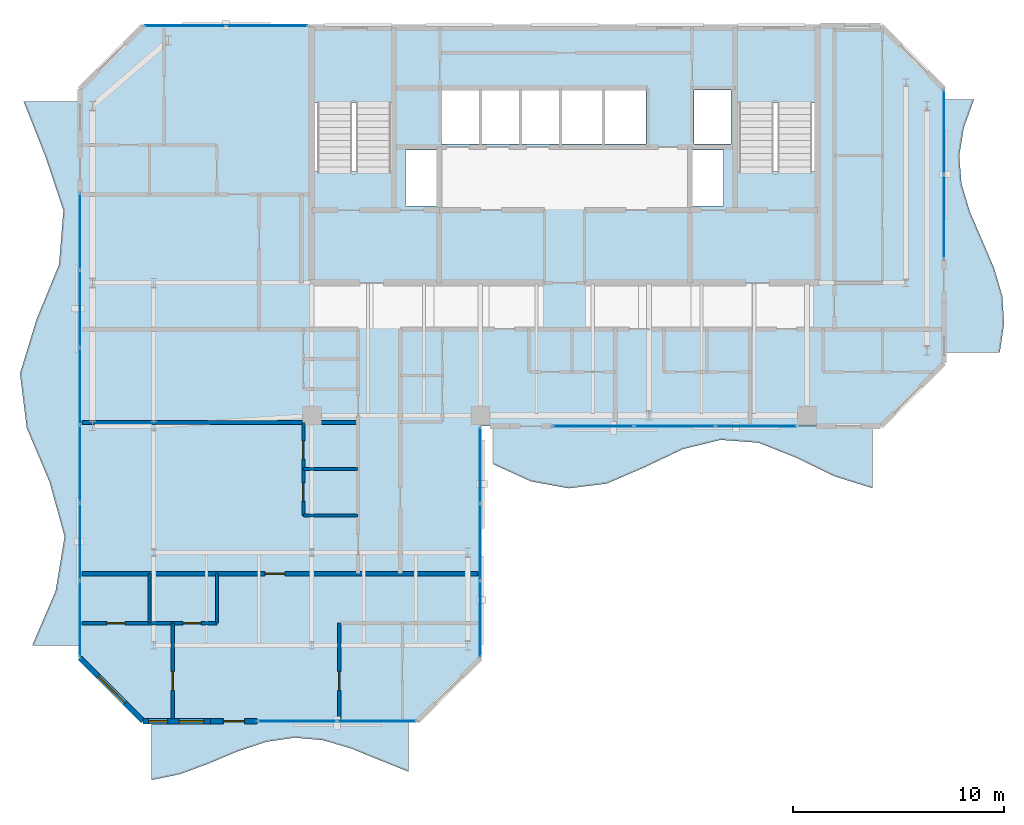
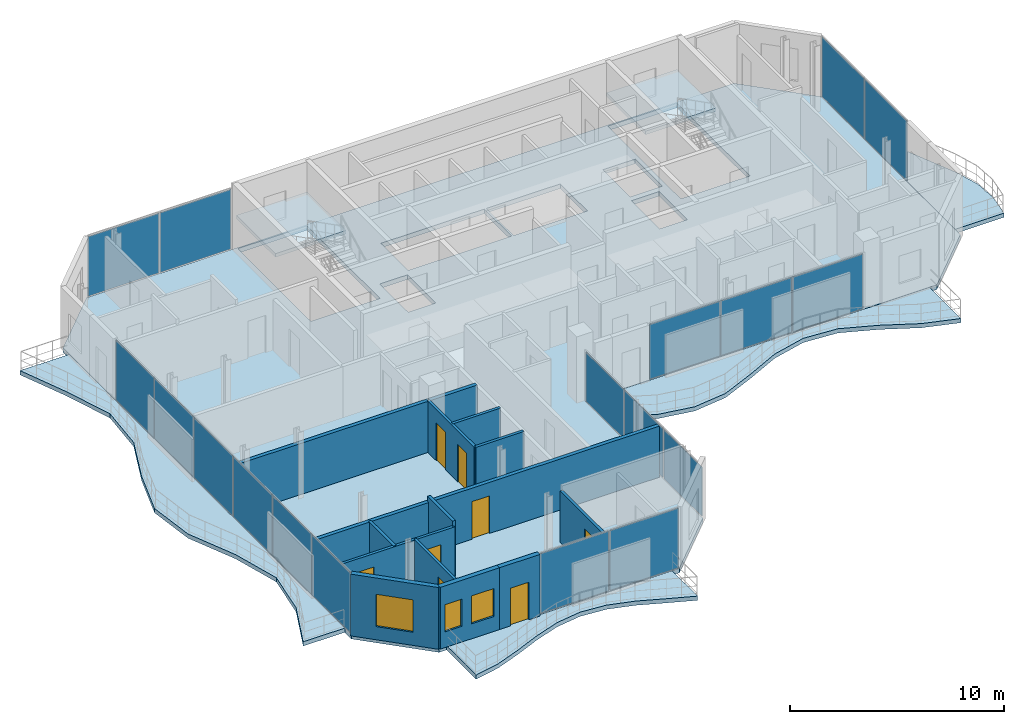
# One storey, part 17 of 24: 18 plates, 13 walls, 8 doors, 7 slabs, 3 windows, 11 openings, 8 elements without a shape of their own.
"""IFC4 building model written with IfcOpenShell, lengths in metres."""

import ifcopenshell
import ifcopenshell.guid

model = None  # the IFC model being written
_history = None  # IfcOwnerHistory: only IFC2X3 demands one
_inside = {}  # id of a spatial element -> (the spatial element, [elements in it])
_under = {}  # id of a project, library or spatial element -> (it, [spatial elements below it])
_declared = {}  # id of a project -> (the project, [libraries it declares])
_typed = {}  # id of a type object -> (the type object, [elements of that type])
_made_of = {}  # id of a material, layer set ... -> (it, [elements and type objects made of it])


def new_model(schema):
    """Start an empty IFC model of exactly this schema.

    Asked for "IFC4X3", IfcOpenShell would pick the latest addendum, in which some entities
    have other attributes; the version numbers below select the first issue.
    IFC2X3 requires an IfcOwnerHistory on every rooted entity: one is made here for all.
    """
    global model, _history
    if schema == "IFC4X3":
        model = ifcopenshell.file(schema_version=(4, 3, 0, 0))
    else:
        model = ifcopenshell.file(schema=schema)
    _inside.clear()
    _under.clear()
    _declared.clear()
    _typed.clear()
    _made_of.clear()
    _history = None
    if model.schema == "IFC2X3":
        org = make("IfcOrganization", Name="unknown")
        user = make(
            "IfcPersonAndOrganization",
            ThePerson=make("IfcPerson", FamilyName="unknown"),
            TheOrganization=org,
        )
        app = make(
            "IfcApplication",
            ApplicationDeveloper=org,
            Version="unknown",
            ApplicationFullName="unknown",
            ApplicationIdentifier="unknown",
        )
        _history = make(
            "IfcOwnerHistory",
            OwningUser=user,
            OwningApplication=app,
            ChangeAction="ADDED",
            CreationDate=0,
        )
    return model


def make(cls, **values):
    """One entity of the class cls with the attributes given. An attribute that is None is left unset."""
    return model.create_entity(
        cls, **{name: value for name, value in values.items() if value is not None}
    )


def rooted(cls, **values):
    """An entity with a GlobalId (a new one), such as an element, a storey or a relation."""
    return make(cls, GlobalId=ifcopenshell.guid.new(), OwnerHistory=_history, **values)


def si_unit(unit_type, name, prefix=None):
    """IfcSIUnit, for example si_unit("LENGTHUNIT", "METRE", prefix="MILLI")."""
    return make("IfcSIUnit", UnitType=unit_type, Prefix=prefix, Name=name)


def assignment(units):
    """IfcUnitAssignment: the units of a project."""
    return None if units is None else make("IfcUnitAssignment", Units=units)


def point(xyz):
    """IfcCartesianPoint."""
    return None if xyz is None else make("IfcCartesianPoint", Coordinates=xyz)


def direction(xyz):
    """IfcDirection."""
    return None if xyz is None else make("IfcDirection", DirectionRatios=xyz)


def frame(location, z_axis=None, x_axis=None):
    """IfcAxis2Placement3D, a coordinate frame: its origin and axes. An axis left out is left unset."""
    return make(
        "IfcAxis2Placement3D",
        Location=point(location),
        Axis=direction(z_axis),
        RefDirection=direction(x_axis),
    )


def frame_2d(location, x_axis=None):
    """IfcAxis2Placement2D, a coordinate frame in the plane: its origin and x axis."""
    return make(
        "IfcAxis2Placement2D", Location=point(location), RefDirection=direction(x_axis)
    )


def origin():
    """The frame at (0, 0, 0) with its axes left unset."""
    return frame((0.0, 0.0, 0.0))


def origin_2d():
    """The frame at (0, 0) in the plane with its x axis left unset."""
    return frame_2d((0.0, 0.0))


def place(relative_to, where):
    """IfcLocalPlacement: puts the frame where relative to a parent placement (None: the world)."""
    return make(
        "IfcLocalPlacement", PlacementRelTo=relative_to, RelativePlacement=where
    )


def context(
    kind, dimensions, precision=None, world=None, true_north=None, identifier=None
):
    """IfcGeometricRepresentationContext, for example the 3D "Model" context."""
    return make(
        "IfcGeometricRepresentationContext",
        ContextIdentifier=identifier,
        ContextType=kind,
        CoordinateSpaceDimension=dimensions,
        Precision=precision,
        WorldCoordinateSystem=world,
        TrueNorth=true_north,
    )


def subcontext(parent, identifier, kind, view, scale=None):
    """IfcGeometricRepresentationSubContext, for example "Body" below "Model"."""
    return make(
        "IfcGeometricRepresentationSubContext",
        ContextIdentifier=identifier,
        ContextType=kind,
        ParentContext=parent,
        TargetScale=scale,
        TargetView=view,
    )


def project(units=None, contexts=None):
    """IfcProject with its units and contexts."""
    return rooted(
        "IfcProject",
        Name="project",
        RepresentationContexts=contexts,
        UnitsInContext=assignment(units),
    )


def spatial(cls, under=None, at=None, **own):
    """A site, building, storey or space (cls), placed at a placement, below another one or the project."""
    s = rooted(cls, ObjectPlacement=at, **own)
    if under is not None:
        _under.setdefault(under.id(), (under, []))[1].append(s)
    return s


def polyline(points):
    """IfcPolyline through the points."""
    return make("IfcPolyline", Points=[point(p) for p in points])


def profile(cls, at=None, kind="AREA", **sizes):
    """A parametric profile (cls). Its sizes go by their IFC names, for example OverallWidth=200.0."""
    return make(cls, ProfileType=kind, Position=at, **sizes)


def rectangle(**sizes):
    """IfcRectangleProfileDef."""
    return profile("IfcRectangleProfileDef", **sizes)


def outline(outer, holes=None, kind="AREA"):
    """IfcArbitraryClosedProfileDef: a profile drawn as a closed curve; with holes, ...WithVoids."""
    if holes is None:
        return make("IfcArbitraryClosedProfileDef", ProfileType=kind, OuterCurve=outer)
    return make(
        "IfcArbitraryProfileDefWithVoids",
        ProfileType=kind,
        OuterCurve=outer,
        InnerCurves=holes,
    )


def extrude(swept, where, along, depth):
    """IfcExtrudedAreaSolid: the profile swept, set in the frame where, extruded along a direction by depth."""
    return make(
        "IfcExtrudedAreaSolid",
        SweptArea=swept,
        Position=where,
        ExtrudedDirection=direction(along),
        Depth=depth,
    )


def shape(context_of_items, identifier, shape_type, items):
    """IfcShapeRepresentation: the items that make up one representation, for example the "Body"."""
    return make(
        "IfcShapeRepresentation",
        ContextOfItems=context_of_items,
        RepresentationIdentifier=identifier,
        RepresentationType=shape_type,
        Items=items,
    )


def material(Name=None, Category=None):
    """IfcMaterial."""
    return make("IfcMaterial", Name=Name, Category=Category)


def layer(
    of_material, thickness, ventilated=None, Name=None, Category=None, Priority=None
):
    """IfcMaterialLayer: one layer of a wall or slab, of a material (None: an air gap)."""
    return make(
        "IfcMaterialLayer",
        Material=of_material,
        LayerThickness=thickness,
        IsVentilated=ventilated,
        Name=Name,
        Category=Category,
        Priority=Priority,
    )


def layer_set(layers, Name=None):
    """IfcMaterialLayerSet."""
    return make("IfcMaterialLayerSet", MaterialLayers=layers, LayerSetName=Name)


def made_of(thing, what):
    """Note that an element or type object is made of a material, layer set ...; save() writes the relation."""
    if what is not None:
        _made_of.setdefault(what.id(), (what, []))[1].append(thing)
    return thing


def type_object(cls, material=None, **own):
    """A type object (cls), such as IfcWallType, which elements share."""
    return made_of(rooted(cls, **own), material)


def element(
    cls,
    number,
    at=None,
    inside=None,
    cuts=None,
    type_object=None,
    material=None,
    context=None,
    identifier="Body",
    shape_type=None,
    held_by="IfcProductDefinitionShape",
    body=None,
    shapes=None,
    **own,
):
    """One element of the class cls, such as IfcWall. Its Tag is "e" and its number.

    at: its placement. inside: the storey or other place that contains it. cuts: it is an
    opening in that element (IfcRelVoidsElement). A single representation is given by context,
    identifier, shape_type and body (its items); several are given by shapes. held_by: the class
    of the entity that holds the representations. save() writes the other relations.
    """
    e = rooted(cls, Tag="e%d" % number, ObjectPlacement=at, **own)
    if body is not None:
        shapes = [shape(context, identifier, shape_type, body)]
    if shapes is not None:
        e.Representation = make(held_by, Representations=shapes)
    if inside is not None:
        _inside.setdefault(inside.id(), (inside, []))[1].append(e)
    if cuts is not None:
        rooted(
            "IfcRelVoidsElement", RelatingBuildingElement=cuts, RelatedOpeningElement=e
        )
    if type_object is not None:
        _typed.setdefault(type_object.id(), (type_object, []))[1].append(e)
    return made_of(e, material)


def fill(opening, filler):
    """IfcRelFillsElement: the door or window that sits in an opening."""
    return rooted(
        "IfcRelFillsElement",
        RelatingOpeningElement=opening,
        RelatedBuildingElement=filler,
    )


def aggregate(whole, parts):
    """IfcRelAggregates: a whole, such as a stair, and the parts it consists of."""
    return rooted("IfcRelAggregates", RelatingObject=whole, RelatedObjects=parts)


def save(model, path):
    """Write the relations noted so far, then the file.

    IfcRelAggregates (storeys below a building ...), IfcRelContainedInSpatialStructure (elements
    in a storey), IfcRelDefinesByType, IfcRelAssociatesMaterial and IfcRelDeclares: one each for
    every whole, place, type object, material and project.
    """
    for whole, parts in _under.values():
        aggregate(whole, parts)
    for where, things in _inside.values():
        rooted(
            "IfcRelContainedInSpatialStructure",
            RelatedElements=things,
            RelatingStructure=where,
        )
    for kind, things in _typed.values():
        rooted("IfcRelDefinesByType", RelatedObjects=things, RelatingType=kind)
    for what, things in _made_of.values():
        rooted("IfcRelAssociatesMaterial", RelatedObjects=things, RelatingMaterial=what)
    for by, libraries in _declared.values():
        rooted("IfcRelDeclares", RelatingContext=by, RelatedDefinitions=libraries)
    model.write(path)


model = new_model("IFC4")

# Units and contexts
model_context = context("Model", 3, precision=1e-05, world=origin(), true_north=direction((0.0, 1.0)))
body_context = subcontext(model_context, "Body", "Model", "MODEL_VIEW")
ifc_project = project(units=[si_unit("LENGTHUNIT", "METRE"), si_unit("AREAUNIT", "SQUARE_METRE"), si_unit("VOLUMEUNIT", "CUBIC_METRE"), si_unit("PLANEANGLEUNIT", "RADIAN"), si_unit("MASSUNIT", "GRAM", prefix="KILO")], contexts=[model_context])

# Site, building, storey
site_placement = place(None, origin())
site = spatial("IfcSite", under=ifc_project, at=site_placement, CompositionType="ELEMENT")
building_placement = place(site_placement, origin())
building = spatial("IfcBuilding", under=site, at=building_placement, Name="Catumbela Crestline Tower", CompositionType="ELEMENT")
storey_placement = place(building_placement, frame((0.0, 0.0, 237.4)))
storey = spatial("IfcBuildingStorey", under=building, at=storey_placement, Name="L61", CompositionType="ELEMENT", Elevation=237.4)

# Curtain wall, plates
ifc_material_1 = material(Name="Aluminium alloy AW-6060-T66", Category="aluminium")
ifc_layer_1 = layer(ifc_material_1, 0.18, Name="Aluminium alloy AW-6060-T66")
ifc_layer_set_1 = layer_set([ifc_layer_1], Name="Aluminium alloy AW-6060-T66")
curtain_wall_type = type_object("IfcCurtainWallType", Name="CWU-Z4", PredefinedType="USERDEFINED", material=ifc_layer_set_1)
curtain_wall_1_placement = place(storey_placement, origin())
curtain_wall_1 = element("IfcCurtainWall", 1, at=curtain_wall_1_placement, inside=storey, type_object=curtain_wall_type, Name="L61 Unitised Curtain Wall CW-L61-E0S2", ObjectType="UNITISED", PredefinedType="USERDEFINED")
ifc_material_2 = material(Name="Low-E laminated solar-control double glazing", Category="glass")
ifc_layer_2 = layer(ifc_material_2, 0.036, Name="Low-E laminated solar-control double glazing")
ifc_layer_set_2 = layer_set([ifc_layer_2], Name="Low-E laminated solar-control double glazing")
plate_type = type_object("IfcPlateType", Name="PNL-GLZ-Z4", PredefinedType="CURTAIN_PANEL", material=ifc_layer_set_2)
plate_1_placement = place(storey_placement, frame((15.3162, 10.0, 0.06), z_axis=(0.0, 0.0, 1.0), x_axis=(1.0, 0.0, 0.0)))
plate_1 = element("IfcPlate", 2, at=plate_1_placement, type_object=plate_type, Name="CWU-Z4 panel 1.1", PredefinedType="CURTAIN_PANEL", context=body_context, shape_type="SweptSolid", body=[
    extrude(rectangle(XDim=3.7025, YDim=0.034, at=origin_2d()), origin(), (0.0, 0.0, 1.0), 3.41),
])
plate_2_placement = place(storey_placement, frame((19.0837, 10.0, 0.06), z_axis=(0.0, 0.0, 1.0), x_axis=(1.0, 0.0, 0.0)))
plate_2 = element("IfcPlate", 3, at=plate_2_placement, type_object=plate_type, Name="CWU-Z4 panel 2.1", PredefinedType="CURTAIN_PANEL", context=body_context, shape_type="SweptSolid", body=[
    extrude(rectangle(XDim=3.7025, YDim=0.034, at=origin_2d()), origin(), (0.0, 0.0, 1.0), 3.41),
])
aggregate(curtain_wall_1, [plate_1, plate_2])

curtain_wall_2_placement = place(storey_placement, origin())
curtain_wall_2 = element("IfcCurtainWall", 4, at=curtain_wall_2_placement, inside=storey, type_object=curtain_wall_type, Name="L61 Unitised Curtain Wall CW-L61-E2S1", ObjectType="UNITISED", PredefinedType="USERDEFINED")
plate_3_placement = place(storey_placement, frame((24.0, 14.8496, 0.06), z_axis=(0.0, 0.0, 1.0), x_axis=(0.0, 1.0, 0.0)))
plate_3 = element("IfcPlate", 5, at=plate_3_placement, type_object=plate_type, Name="CWU-Z4 panel 1.1", PredefinedType="CURTAIN_PANEL", context=body_context, shape_type="SweptSolid", body=[
    extrude(rectangle(XDim=3.5692, YDim=0.034, at=origin_2d()), origin(), (0.0, 0.0, 1.0), 2.8),
])
plate_4_placement = place(storey_placement, frame((24.0, 18.5, 0.06), z_axis=(0.0, 0.0, 1.0), x_axis=(0.0, 1.0, 0.0)))
plate_4 = element("IfcPlate", 6, at=plate_4_placement, type_object=plate_type, Name="CWU-Z4 panel 2.1", PredefinedType="CURTAIN_PANEL", context=body_context, shape_type="SweptSolid", body=[
    extrude(rectangle(XDim=3.6017, YDim=0.034, at=origin_2d()), origin(), (0.0, 0.0, 1.0), 2.8),
])
plate_5_placement = place(storey_placement, frame((24.0, 22.1504, 0.06), z_axis=(0.0, 0.0, 1.0), x_axis=(0.0, 1.0, 0.0)))
plate_5 = element("IfcPlate", 7, at=plate_5_placement, type_object=plate_type, Name="CWU-Z4 panel 3.1", PredefinedType="CURTAIN_PANEL", context=body_context, shape_type="SweptSolid", body=[
    extrude(rectangle(XDim=3.5692, YDim=0.034, at=origin_2d()), origin(), (0.0, 0.0, 1.0), 2.8),
])
aggregate(curtain_wall_2, [plate_3, plate_4, plate_5])

curtain_wall_3_placement = place(storey_placement, origin())
curtain_wall_3 = element("IfcCurtainWall", 8, at=curtain_wall_3_placement, inside=storey, type_object=curtain_wall_type, Name="L61 Unitised Curtain Wall CW-L61-E3S2", ObjectType="UNITISED", PredefinedType="USERDEFINED")
plate_6_placement = place(storey_placement, frame((29.3579, 24.0, 0.06), z_axis=(0.0, 0.0, 1.0), x_axis=(1.0, 0.0, 0.0)))
plate_6 = element("IfcPlate", 9, at=plate_6_placement, type_object=plate_type, Name="CWU-Z4 panel 1.1", PredefinedType="CURTAIN_PANEL", context=body_context, shape_type="SweptSolid", body=[
    extrude(rectangle(XDim=3.7858, YDim=0.034, at=origin_2d()), origin(), (0.0, 0.0, 1.0), 3.12),
])
plate_7_placement = place(storey_placement, frame((33.225, 24.0, 0.06), z_axis=(0.0, 0.0, 1.0), x_axis=(1.0, 0.0, 0.0)))
plate_7 = element("IfcPlate", 10, at=plate_7_placement, type_object=plate_type, Name="CWU-Z4 panel 2.1", PredefinedType="CURTAIN_PANEL", context=body_context, shape_type="SweptSolid", body=[
    extrude(rectangle(XDim=3.8183, YDim=0.034, at=origin_2d()), origin(), (0.0, 0.0, 1.0), 3.12),
])
plate_8_placement = place(storey_placement, frame((37.0921, 24.0, 0.06), z_axis=(0.0, 0.0, 1.0), x_axis=(1.0, 0.0, 0.0)))
plate_8 = element("IfcPlate", 11, at=plate_8_placement, type_object=plate_type, Name="CWU-Z4 panel 3.1", PredefinedType="CURTAIN_PANEL", context=body_context, shape_type="SweptSolid", body=[
    extrude(rectangle(XDim=3.7858, YDim=0.034, at=origin_2d()), origin(), (0.0, 0.0, 1.0), 3.12),
])
aggregate(curtain_wall_3, [plate_6, plate_7, plate_8])

curtain_wall_4_placement = place(storey_placement, origin())
curtain_wall_4 = element("IfcCurtainWall", 12, at=curtain_wall_4_placement, inside=storey, type_object=curtain_wall_type, Name="L61 Unitised Curtain Wall CW-L61-E5S2", ObjectType="UNITISED", PredefinedType="USERDEFINED")
plate_9_placement = place(storey_placement, frame((46.0, 33.9412, 0.06), z_axis=(0.0, 0.0, 1.0), x_axis=(0.0, 1.0, 0.0)))
plate_9 = element("IfcPlate", 13, at=plate_9_placement, type_object=plate_type, Name="CWU-Z4 panel 1.1", PredefinedType="CURTAIN_PANEL", context=body_context, shape_type="SweptSolid", body=[
    extrude(rectangle(XDim=3.9525, YDim=0.034, at=origin_2d()), origin(), (0.0, 0.0, 1.0), 3.41),
])
plate_10_placement = place(storey_placement, frame((46.0, 37.9588, 0.06), z_axis=(0.0, 0.0, 1.0), x_axis=(0.0, 1.0, 0.0)))
plate_10 = element("IfcPlate", 14, at=plate_10_placement, type_object=plate_type, Name="CWU-Z4 panel 2.1", PredefinedType="CURTAIN_PANEL", context=body_context, shape_type="SweptSolid", body=[
    extrude(rectangle(XDim=3.9525, YDim=0.034, at=origin_2d()), origin(), (0.0, 0.0, 1.0), 3.41),
])
aggregate(curtain_wall_4, [plate_9, plate_10])

curtain_wall_5_placement = place(storey_placement, origin())
curtain_wall_5 = element("IfcCurtainWall", 15, at=curtain_wall_5_placement, inside=storey, type_object=curtain_wall_type, Name="L61 Unitised Curtain Wall CW-L61-E7S2", ObjectType="UNITISED", PredefinedType="USERDEFINED")
plate_11_placement = place(storey_placement, frame((13.8788, 43.0, 0.06), z_axis=(0.0, 0.0, 1.0), x_axis=(-1.0, 0.0, 0.0)))
plate_11 = element("IfcPlate", 16, at=plate_11_placement, type_object=plate_type, Name="CWU-Z4 panel 1.1", PredefinedType="CURTAIN_PANEL", context=body_context, shape_type="SweptSolid", body=[
    extrude(rectangle(XDim=3.8325, YDim=0.034, at=origin_2d()), origin(), (0.0, 0.0, 1.0), 3.41),
])
plate_12_placement = place(storey_placement, frame((9.9812, 43.0, 0.06), z_axis=(0.0, 0.0, 1.0), x_axis=(-1.0, 0.0, 0.0)))
plate_12 = element("IfcPlate", 17, at=plate_12_placement, type_object=plate_type, Name="CWU-Z4 panel 2.1", PredefinedType="CURTAIN_PANEL", context=body_context, shape_type="SweptSolid", body=[
    extrude(rectangle(XDim=3.8325, YDim=0.034, at=origin_2d()), origin(), (0.0, 0.0, 1.0), 3.41),
])
aggregate(curtain_wall_5, [plate_11, plate_12])

curtain_wall_6_placement = place(storey_placement, origin())
curtain_wall_6 = element("IfcCurtainWall", 18, at=curtain_wall_6_placement, inside=storey, type_object=curtain_wall_type, Name="L61 Unitised Curtain Wall CW-L61-E9S2", ObjectType="UNITISED", PredefinedType="USERDEFINED")
plate_13_placement = place(storey_placement, frame((5.0, 33.2421, 0.06), z_axis=(0.0, 0.0, 1.0), x_axis=(0.0, -1.0, 0.0)))
plate_13 = element("IfcPlate", 19, at=plate_13_placement, type_object=plate_type, Name="CWU-Z4 panel 1.1", PredefinedType="CURTAIN_PANEL", context=body_context, shape_type="SweptSolid", body=[
    extrude(rectangle(XDim=3.5858, YDim=0.034, at=origin_2d()), origin(), (0.0, 0.0, 1.0), 3.41),
])
plate_14_placement = place(storey_placement, frame((5.0, 29.575, 0.06), z_axis=(0.0, 0.0, 1.0), x_axis=(0.0, -1.0, 0.0)))
plate_14 = element("IfcPlate", 20, at=plate_14_placement, type_object=plate_type, Name="CWU-Z4 panel 2.1", PredefinedType="CURTAIN_PANEL", context=body_context, shape_type="SweptSolid", body=[
    extrude(rectangle(XDim=3.6183, YDim=0.034, at=origin_2d()), origin(), (0.0, 0.0, 1.0), 3.41),
])
plate_15_placement = place(storey_placement, frame((5.0, 25.8917, 0.06), z_axis=(0.0, 0.0, 1.0), x_axis=(0.0, -1.0, 0.0)))
plate_15 = element("IfcPlate", 21, at=plate_15_placement, type_object=plate_type, Name="CWU-Z4 panel 3.1", PredefinedType="CURTAIN_PANEL", context=body_context, shape_type="SweptSolid", body=[
    extrude(rectangle(XDim=3.6183, YDim=0.034, at=origin_2d()), origin(), (0.0, 0.0, 1.0), 3.41),
])
plate_16_placement = place(storey_placement, frame((5.0, 22.2083, 0.06), z_axis=(0.0, 0.0, 1.0), x_axis=(0.0, -1.0, 0.0)))
plate_16 = element("IfcPlate", 22, at=plate_16_placement, type_object=plate_type, Name="CWU-Z4 panel 4.1", PredefinedType="CURTAIN_PANEL", context=body_context, shape_type="SweptSolid", body=[
    extrude(rectangle(XDim=3.6183, YDim=0.034, at=origin_2d()), origin(), (0.0, 0.0, 1.0), 3.41),
])
plate_17_placement = place(storey_placement, frame((5.0, 18.525, 0.06), z_axis=(0.0, 0.0, 1.0), x_axis=(0.0, -1.0, 0.0)))
plate_17 = element("IfcPlate", 23, at=plate_17_placement, type_object=plate_type, Name="CWU-Z4 panel 5.1", PredefinedType="CURTAIN_PANEL", context=body_context, shape_type="SweptSolid", body=[
    extrude(rectangle(XDim=3.6183, YDim=0.034, at=origin_2d()), origin(), (0.0, 0.0, 1.0), 3.41),
])
plate_18_placement = place(storey_placement, frame((5.0, 14.8579, 0.06), z_axis=(0.0, 0.0, 1.0), x_axis=(0.0, -1.0, 0.0)))
plate_18 = element("IfcPlate", 24, at=plate_18_placement, type_object=plate_type, Name="CWU-Z4 panel 6.1", PredefinedType="CURTAIN_PANEL", context=body_context, shape_type="SweptSolid", body=[
    extrude(rectangle(XDim=3.5858, YDim=0.034, at=origin_2d()), origin(), (0.0, 0.0, 1.0), 3.41),
])
aggregate(curtain_wall_6, [plate_13, plate_14, plate_15, plate_16, plate_17, plate_18])

# Stair, slab
ifc_material_3 = material(Name="Concrete C45/55", Category="concrete")
stair_type = type_object("IfcStairType", Name="ST-DLG", PredefinedType="HALF_TURN_STAIR", material=ifc_material_3)
stair_1_placement = place(storey_placement, origin())
stair_1 = element("IfcStair", 25, at=stair_1_placement, inside=storey, type_object=stair_type, Name="L61 West Core Pressurised Exit Stair ST-01", PredefinedType="HALF_TURN_STAIR")
ifc_layer_3 = layer(ifc_material_3, 0.2, Name="Concrete C45/55")
ifc_layer_set_3 = layer_set([ifc_layer_3], Name="Concrete C45/55")
slab_type_1 = type_object("IfcSlabType", Name="SL-LND", PredefinedType="LANDING", material=ifc_layer_set_3)
slab_1_placement = place(storey_placement, frame((0.0, 0.0, 1.7)))
slab_1 = element("IfcSlab", 26, at=slab_1_placement, type_object=slab_type_1, Name="ST-01 landing 1", PredefinedType="LANDING", context=body_context, shape_type="SweptSolid", body=[
    extrude(outline(polyline([(19.91, 39.33), (19.91, 42.96), (16.09, 42.96), (16.09, 39.33), (19.91, 39.33)])), origin(), (0.0, 0.0, 1.0), 0.2),
])
aggregate(stair_1, [slab_1])

stair_2_placement = place(storey_placement, origin())
stair_2 = element("IfcStair", 27, at=stair_2_placement, inside=storey, type_object=stair_type, Name="L61 East Core Pressurised Exit Stair ST-02", PredefinedType="HALF_TURN_STAIR")
slab_2_placement = place(storey_placement, frame((0.0, 0.0, 1.7)))
slab_2 = element("IfcSlab", 28, at=slab_2_placement, type_object=slab_type_1, Name="ST-02 landing 1", PredefinedType="LANDING", context=body_context, shape_type="SweptSolid", body=[
    extrude(outline(polyline([(39.91, 39.33), (39.91, 42.96), (36.09, 42.96), (36.09, 39.33), (39.91, 39.33)])), origin(), (0.0, 0.0, 1.0), 0.2),
])
aggregate(stair_2, [slab_2])

# Slabs
ifc_layer_4 = layer(ifc_material_3, 0.26, Name="Concrete C45/55")
ifc_layer_set_4 = layer_set([ifc_layer_4], Name="Concrete C45/55")
slab_type_2 = type_object("IfcSlabType", Name="SL-260", PredefinedType="FLOOR", material=ifc_layer_set_4)
slab_3_placement = place(storey_placement, frame((0.0, 0.0, -0.26)))
element("IfcSlab", 29, at=slab_3_placement, inside=storey, type_object=slab_type_2, Name="L61 Structural Floor Slab", PredefinedType="FLOOR", context=body_context, shape_type="SweptSolid", body=[
    extrude(outline(polyline([(8.0, 10.0), (21.0, 10.0), (24.0, 13.0), (24.0, 24.0), (43.0, 24.0), (46.0, 27.0), (46.0, 40.0), (43.0, 43.0), (8.0, 43.0), (5.0, 40.0), (5.0, 13.0), (8.0, 10.0)]), holes=[polyline([(16.13, 36.08), (19.87, 36.08), (19.87, 42.92), (16.13, 42.92), (16.13, 36.08)]), polyline([(36.13, 36.08), (39.87, 36.08), (39.87, 42.92), (36.13, 42.92), (36.13, 36.08)]), polyline([(22.15, 37.4), (27.75, 37.4), (27.75, 39.95), (22.15, 39.95), (22.15, 37.4)]), polyline([(27.85, 37.4), (31.85, 37.4), (31.85, 39.95), (27.85, 39.95), (27.85, 37.4)]), polyline([(20.45, 34.45), (21.95, 34.45), (21.95, 37.1), (20.45, 37.1), (20.45, 34.45)]), polyline([(34.05, 34.45), (35.55, 34.45), (35.55, 37.1), (34.05, 37.1), (34.05, 34.45)]), polyline([(34.15, 37.4), (35.9, 37.4), (35.9, 39.95), (34.15, 39.95), (34.15, 37.4)])]), origin(), (0.0, 0.0, 1.0), 0.26),
])
ifc_layer_5 = layer(ifc_material_3, 0.24, Name="Concrete C45/55")
ifc_layer_set_5 = layer_set([ifc_layer_5], Name="Concrete C45/55")
slab_type_3 = type_object("IfcSlabType", Name="SB-240W", PredefinedType="USERDEFINED", material=ifc_layer_set_5)
slab_4_placement = place(storey_placement, frame((0.0, 0.0, -0.24)))
element("IfcSlab", 30, at=slab_4_placement, inside=storey, type_object=slab_type_3, Name="L61 Cantilevered Wave Balcony Slab SPINE-S", ObjectType="BALCONY", PredefinedType="USERDEFINED", context=body_context, shape_type="SweptSolid", body=[
    extrude(outline(polyline([(24.6, 22.2), (26.4, 21.3785), (28.2, 21.05), (30.0, 21.2754), (31.8, 22.0496), (33.6, 22.9053), (35.4, 23.35), (37.2, 23.2132), (39.0, 22.4984), (40.8, 21.6219), (42.6, 21.0587), (42.6, 23.99), (24.6, 23.99), (24.6, 22.2)])), origin(), (0.0, 0.0, 1.0), 0.24),
])
slab_5_placement = place(storey_placement, frame((0.0, 0.0, -0.24)))
element("IfcSlab", 31, at=slab_5_placement, inside=storey, type_object=slab_type_3, Name="L61 Cantilevered Wave Balcony Slab SPINE-E", ObjectType="BALCONY", PredefinedType="USERDEFINED", context=body_context, shape_type="SweptSolid", body=[
    extrude(outline(polyline([(46.01, 27.5), (48.646, 27.5), (48.85, 28.8333), (48.7743, 30.1667), (48.3792, 31.5), (47.8082, 32.8333), (47.2346, 34.1667), (46.8329, 35.5), (46.7251, 36.8333), (46.9439, 38.1667), (47.4229, 39.5), (46.01, 39.5), (46.01, 27.5)])), origin(), (0.0, 0.0, 1.0), 0.24),
])
slab_6_placement = place(storey_placement, frame((0.0, 0.0, -0.24)))
element("IfcSlab", 32, at=slab_6_placement, inside=storey, type_object=slab_type_3, Name="L61 Cantilevered Wave Balcony Slab WING-S", ObjectType="BALCONY", PredefinedType="USERDEFINED", context=body_context, shape_type="SweptSolid", body=[
    extrude(outline(polyline([(8.4, 7.2067), (9.7556, 7.4872), (11.1111, 7.9914), (12.4667, 8.5611), (13.8222, 9.0174), (15.1778, 9.2173), (16.5333, 9.0978), (17.8889, 8.6966), (19.2444, 8.1395), (20.6, 7.6014), (20.6, 9.99), (8.4, 9.99), (8.4, 7.2067)])), origin(), (0.0, 0.0, 1.0), 0.24),
])
slab_7_placement = place(storey_placement, frame((0.0, 0.0, -0.24)))
element("IfcSlab", 33, at=slab_7_placement, inside=storey, type_object=slab_type_3, Name="L61 Cantilevered Wave Balcony Slab WEST", ObjectType="BALCONY", PredefinedType="USERDEFINED", context=body_context, shape_type="SweptSolid", body=[
    extrude(outline(polyline([(4.99, 39.4), (2.3274, 39.4), (3.3507, 36.82), (4.2145, 34.24), (4.0043, 31.66), (2.9427, 29.08), (2.1535, 26.5), (2.4721, 23.92), (3.5612, 21.34), (4.268, 18.76), (3.8442, 16.18), (2.7384, 13.6), (4.99, 13.6), (4.99, 39.4)])), origin(), (0.0, 0.0, 1.0), 0.24),
])

# Wall, opening, door
ifc_material_4 = material(Name="Angolan grey-ochre granite", Category="masonry")
ifc_layer_6 = layer(ifc_material_4, 0.25, Name="Angolan grey-ochre granite")
ifc_layer_set_6 = layer_set([ifc_layer_6], Name="Angolan grey-ochre granite")
wall_type_1 = type_object("IfcWallType", Name="WE-250", PredefinedType="STANDARD", material=ifc_layer_set_6)
wall_1_placement = place(storey_placement, frame((11.2, 10.0, 0.0), z_axis=(0.0, 0.0, 1.0), x_axis=(1.0, 0.0, 0.0)))
wall_1 = element("IfcWall", 34, at=wall_1_placement, inside=storey, type_object=wall_type_1, Name="L61 Exterior Threshold Portal Wall DR-L61-WBAL-3", PredefinedType="STANDARD", context=body_context, shape_type="SweptSolid", body=[
    extrude(rectangle(XDim=2.2, YDim=0.25, at=frame_2d((1.1, 0.0))), origin(), (0.0, 0.0, 1.0), 3.53),
])
opening_1_placement = place(wall_1_placement, frame((0.6, 0.0, 0.0)))
opening_1 = element("IfcOpeningElement", 35, at=opening_1_placement, cuts=wall_1, Name="Opening DB-L61-3", PredefinedType="OPENING", context=body_context, shape_type="SweptSolid", body=[
    extrude(rectangle(XDim=1.0, YDim=2.15, at=frame_2d((0.5, 1.075))), frame((0.0, 0.135, 0.0), z_axis=(0.0, -1.0, 0.0), x_axis=(1.0, 0.0, 0.0)), (0.0, 0.0, 1.0), 0.27),
])
door_type_1 = type_object("IfcDoorType", Name="DB-1000", OperationType="NOTDEFINED", PredefinedType="DOOR", material=ifc_material_1)
door_1_placement = place(opening_1_placement, origin())
door_1 = element("IfcDoor", 36, at=door_1_placement, inside=storey, type_object=door_type_1, Name="L61 Wave Balcony Terrace Door 3", OperationType="SINGLE_SWING_LEFT", OverallHeight=2.15, OverallWidth=1.0, PredefinedType="DOOR", context=body_context, shape_type="SweptSolid", body=[
    extrude(rectangle(XDim=1.0, YDim=2.15, at=frame_2d((0.5, 1.075))), frame((0.0, 0.025, 0.0), z_axis=(0.0, -1.0, 0.0), x_axis=(1.0, 0.0, 0.0)), (0.0, 0.0, 1.0), 0.05),
])
fill(opening_1, door_1)

# Wall, openings, windows
wall_2_placement = place(storey_placement, frame((8.0, 10.0, 0.0), z_axis=(0.0, 0.0, 1.0), x_axis=(1.0, 0.0, 0.0)))
wall_2 = element("IfcWall", 37, at=wall_2_placement, inside=storey, type_object=wall_type_1, Name="L61 Granite Punched Window Wall 0-1", PredefinedType="STANDARD", context=body_context, shape_type="SweptSolid", body=[
    extrude(rectangle(XDim=3.2, YDim=0.25, at=frame_2d((1.6, 0.0))), origin(), (0.0, 0.0, 1.0), 3.53),
])
opening_2_placement = place(wall_2_placement, frame((0.26, 0.0, 0.9)))
opening_2 = element("IfcOpeningElement", 38, at=opening_2_placement, cuts=wall_2, Name="Opening WN-03", PredefinedType="OPENING", context=body_context, shape_type="SweptSolid", body=[
    extrude(rectangle(XDim=0.9, YDim=1.55, at=frame_2d((0.45, 0.775))), frame((0.0, 0.135, 0.0), z_axis=(0.0, -1.0, 0.0), x_axis=(1.0, 0.0, 0.0)), (0.0, 0.0, 1.0), 0.27),
])
opening_3_placement = place(wall_2_placement, frame((1.69, 0.0, 0.85)))
opening_3 = element("IfcOpeningElement", 39, at=opening_3_placement, cuts=wall_2, Name="Opening WN-02", PredefinedType="OPENING", context=body_context, shape_type="SweptSolid", body=[
    extrude(rectangle(XDim=1.2, YDim=1.6, at=frame_2d((0.6, 0.8))), frame((0.0, 0.135, 0.0), z_axis=(0.0, -1.0, 0.0), x_axis=(1.0, 0.0, 0.0)), (0.0, 0.0, 1.0), 0.27),
])
window_type_1 = type_object("IfcWindowType", Name="WO-0900", PartitioningType="SINGLE_PANEL", PredefinedType="WINDOW", material=ifc_material_2)
window_1_placement = place(opening_2_placement, origin())
window_1 = element("IfcWindow", 40, at=window_1_placement, inside=storey, type_object=window_type_1, Name="L61 Facade Vision Window 443", OverallHeight=1.55, OverallWidth=0.9, PartitioningType="SINGLE_PANEL", PredefinedType="WINDOW", context=body_context, shape_type="SweptSolid", body=[
    extrude(rectangle(XDim=0.9, YDim=1.55, at=frame_2d((0.45, 0.775))), frame((0.0, 0.03, 0.0), z_axis=(0.0, -1.0, 0.0), x_axis=(1.0, 0.0, 0.0)), (0.0, 0.0, 1.0), 0.06),
])
fill(opening_2, window_1)
window_type_2 = type_object("IfcWindowType", Name="WO-1200", PartitioningType="SINGLE_PANEL", PredefinedType="WINDOW", material=ifc_material_2)
window_2_placement = place(opening_3_placement, origin())
window_2 = element("IfcWindow", 41, at=window_2_placement, inside=storey, type_object=window_type_2, Name="L61 Facade Vision Window 444", OverallHeight=1.6, OverallWidth=1.2, PartitioningType="SINGLE_PANEL", PredefinedType="WINDOW", context=body_context, shape_type="SweptSolid", body=[
    extrude(rectangle(XDim=1.2, YDim=1.6, at=frame_2d((0.6, 0.8))), frame((0.0, 0.03, 0.0), z_axis=(0.0, -1.0, 0.0), x_axis=(1.0, 0.0, 0.0)), (0.0, 0.0, 1.0), 0.06),
])
fill(opening_3, window_2)

# Wall, opening, window
wall_3_placement = place(storey_placement, frame((5.0, 13.0, 0.0), z_axis=(0.0, 0.0, 1.0), x_axis=(0.707106781187, -0.707106781187, 0.0)))
wall_3 = element("IfcWall", 42, at=wall_3_placement, inside=storey, type_object=wall_type_1, Name="L61 Granite Punched Window Wall 10-1", PredefinedType="STANDARD", context=body_context, shape_type="SweptSolid", body=[
    extrude(rectangle(XDim=4.2426, YDim=0.25, at=frame_2d((2.1213, 0.0))), origin(), (0.0, 0.0, 1.0), 3.53),
])
opening_4_placement = place(wall_3_placement, frame((1.2213, 0.0, 0.75)))
opening_4 = element("IfcOpeningElement", 43, at=opening_4_placement, cuts=wall_3, Name="Opening WN-01", PredefinedType="OPENING", context=body_context, shape_type="SweptSolid", body=[
    extrude(rectangle(XDim=1.8, YDim=1.85, at=frame_2d((0.9, 0.925))), frame((0.0, 0.135, 0.0), z_axis=(0.0, -1.0, 0.0), x_axis=(1.0, 0.0, 0.0)), (0.0, 0.0, 1.0), 0.27),
])
window_type_3 = type_object("IfcWindowType", Name="WF-1800", PartitioningType="SINGLE_PANEL", PredefinedType="WINDOW", material=ifc_material_2)
window_3_placement = place(opening_4_placement, origin())
window_3 = element("IfcWindow", 44, at=window_3_placement, inside=storey, type_object=window_type_3, Name="L61 Facade Vision Window 453", OverallHeight=1.85, OverallWidth=1.8, PartitioningType="SINGLE_PANEL", PredefinedType="WINDOW", context=body_context, shape_type="SweptSolid", body=[
    extrude(rectangle(XDim=1.8, YDim=1.85, at=frame_2d((0.9, 0.925))), frame((0.0, 0.03, 0.0), z_axis=(0.0, -1.0, 0.0), x_axis=(1.0, 0.0, 0.0)), (0.0, 0.0, 1.0), 0.06),
])
fill(opening_4, window_3)

# Walls
ifc_material_5 = material(Name="Acoustic gypsum and mineral-wool partition")
ifc_layer_7 = layer(ifc_material_5, 0.15, Name="Acoustic gypsum and mineral-wool partition")
ifc_layer_set_7 = layer_set([ifc_layer_7], Name="Acoustic gypsum and mineral-wool partition")
wall_type_2 = type_object("IfcWallType", Name="WP-150", PredefinedType="PARTITIONING", material=ifc_layer_set_7)
for number, where, z_axis, x_axis, name in (
    (45, (15.6, 19.768, 0.0), (0.0, 0.0, 1.0), (1.0, 0.0, 0.0), "L61 Interior Partition PW-L61-WL2-KBS"),
    (46, (15.6, 21.968, 0.0), (0.0, 0.0, 1.0), (1.0, 0.0, 0.0), "L61 Interior Partition PW-L61-WL2-KBM"),
):
    element("IfcWall", number, at=place(storey_placement, frame(where, z_axis=z_axis, x_axis=x_axis)), inside=storey, type_object=wall_type_2, Name=name, PredefinedType="PARTITIONING", context=body_context, shape_type="SweptSolid", body=[
        extrude(rectangle(XDim=2.6, YDim=0.15, at=frame_2d((1.3, 0.0))), origin(), (0.0, 0.0, 1.0), 2.92),
    ])

# Wall, openings, doors
wall_4_placement = place(storey_placement, frame((15.6, 19.768, 0.0), z_axis=(0.0, 0.0, 1.0), x_axis=(0.0, 1.0, 0.0)))
wall_4 = element("IfcWall", 47, at=wall_4_placement, inside=storey, type_object=wall_type_2, Name="L61 Interior Partition PW-L61-WL2-SK1", PredefinedType="PARTITIONING", context=body_context, shape_type="SweptSolid", body=[
    extrude(rectangle(XDim=4.4, YDim=0.15, at=frame_2d((2.2, 0.0))), origin(), (0.0, 0.0, 1.0), 2.92),
])
opening_5_placement = place(wall_4_placement, frame((0.675, 0.0, 0.0)))
opening_5 = element("IfcOpeningElement", 48, at=opening_5_placement, cuts=wall_4, Name="Opening DI-085", PredefinedType="OPENING", context=body_context, shape_type="SweptSolid", body=[
    extrude(rectangle(XDim=0.85, YDim=2.15, at=frame_2d((0.425, 1.075))), frame((0.0, 0.085, 0.0), z_axis=(0.0, -1.0, 0.0), x_axis=(1.0, 0.0, 0.0)), (0.0, 0.0, 1.0), 0.17),
])
opening_6_placement = place(wall_4_placement, frame((2.6767, 0.0, 0.0)))
opening_6 = element("IfcOpeningElement", 49, at=opening_6_placement, cuts=wall_4, Name="Opening DI-085", PredefinedType="OPENING", context=body_context, shape_type="SweptSolid", body=[
    extrude(rectangle(XDim=0.85, YDim=2.15, at=frame_2d((0.425, 1.075))), frame((0.0, 0.085, 0.0), z_axis=(0.0, -1.0, 0.0), x_axis=(1.0, 0.0, 0.0)), (0.0, 0.0, 1.0), 0.17),
])
door_type_2 = type_object("IfcDoorType", Name="DI-085", OperationType="NOTDEFINED", PredefinedType="DOOR", material=ifc_material_1)
door_2_placement = place(opening_5_placement, origin())
door_2 = element("IfcDoor", 50, at=door_2_placement, inside=storey, type_object=door_type_2, Name="L61 Interior Door DR-L61-WL2-KIT", OperationType="SINGLE_SWING_LEFT", OverallHeight=2.15, OverallWidth=0.85, PredefinedType="DOOR", context=body_context, shape_type="SweptSolid", body=[
    extrude(rectangle(XDim=0.85, YDim=2.15, at=frame_2d((0.425, 1.075))), frame((0.0, 0.025, 0.0), z_axis=(0.0, -1.0, 0.0), x_axis=(1.0, 0.0, 0.0)), (0.0, 0.0, 1.0), 0.05),
])
fill(opening_5, door_2)
door_3_placement = place(opening_6_placement, origin())
door_3 = element("IfcDoor", 51, at=door_3_placement, inside=storey, type_object=door_type_2, Name="L61 Interior Door DR-L61-WL2-BTH", OperationType="SINGLE_SWING_RIGHT", OverallHeight=2.15, OverallWidth=0.85, PredefinedType="DOOR", context=body_context, shape_type="SweptSolid", body=[
    extrude(rectangle(XDim=0.85, YDim=2.15, at=frame_2d((0.425, 1.075))), frame((0.0, 0.025, 0.0), z_axis=(0.0, -1.0, 0.0), x_axis=(1.0, 0.0, 0.0)), (0.0, 0.0, 1.0), 0.05),
])
fill(opening_6, door_3)

# Walls
wall_5_placement = place(storey_placement, frame((11.5, 14.65, 0.0), z_axis=(0.0, 0.0, 1.0), x_axis=(0.0, 1.0, 0.0)))
element("IfcWall", 52, at=wall_5_placement, inside=storey, type_object=wall_type_2, Name="L61 Interior Partition PW-L61-SH1-KBE", PredefinedType="PARTITIONING", context=body_context, shape_type="SweptSolid", body=[
    extrude(rectangle(XDim=2.35, YDim=0.15, at=frame_2d((1.175, 0.0))), origin(), (0.0, 0.0, 1.0), 3.22),
])
wall_6_placement = place(storey_placement, frame((8.3, 14.65, 0.0), z_axis=(0.0, 0.0, 1.0), x_axis=(0.0, 1.0, 0.0)))
element("IfcWall", 53, at=wall_6_placement, inside=storey, type_object=wall_type_2, Name="L61 Interior Partition PW-L61-SH1-KBM", PredefinedType="PARTITIONING", context=body_context, shape_type="SweptSolid", body=[
    extrude(rectangle(XDim=2.35, YDim=0.15, at=frame_2d((1.175, 0.0))), origin(), (0.0, 0.0, 1.0), 2.92),
])

# Wall, openings, doors
wall_7_placement = place(storey_placement, frame((5.1, 14.65, 0.0), z_axis=(0.0, 0.0, 1.0), x_axis=(1.0, 0.0, 0.0)))
wall_7 = element("IfcWall", 54, at=wall_7_placement, inside=storey, type_object=wall_type_2, Name="L61 Interior Partition PW-L61-SH1-KBD1", PredefinedType="PARTITIONING", context=body_context, shape_type="SweptSolid", body=[
    extrude(rectangle(XDim=6.4, YDim=0.15, at=frame_2d((3.2, 0.0))), origin(), (0.0, 0.0, 1.0), 2.92),
])
opening_7_placement = place(wall_7_placement, frame((1.175, 0.0, 0.0)))
opening_7 = element("IfcOpeningElement", 55, at=opening_7_placement, cuts=wall_7, Name="Opening DI-085", PredefinedType="OPENING", context=body_context, shape_type="SweptSolid", body=[
    extrude(rectangle(XDim=0.85, YDim=2.15, at=frame_2d((0.425, 1.075))), frame((0.0, 0.085, 0.0), z_axis=(0.0, -1.0, 0.0), x_axis=(1.0, 0.0, 0.0)), (0.0, 0.0, 1.0), 0.17),
])
opening_8_placement = place(wall_7_placement, frame((4.7968, 0.0, 0.0)))
opening_8 = element("IfcOpeningElement", 56, at=opening_8_placement, cuts=wall_7, Name="Opening DI-085", PredefinedType="OPENING", context=body_context, shape_type="SweptSolid", body=[
    extrude(rectangle(XDim=0.85, YDim=2.15, at=frame_2d((0.425, 1.075))), frame((0.0, 0.085, 0.0), z_axis=(0.0, -1.0, 0.0), x_axis=(1.0, 0.0, 0.0)), (0.0, 0.0, 1.0), 0.17),
])
door_4_placement = place(opening_7_placement, origin())
door_4 = element("IfcDoor", 57, at=door_4_placement, inside=storey, type_object=door_type_2, Name="L61 Interior Door DR-L61-SH1-KIT", OperationType="SINGLE_SWING_LEFT", OverallHeight=2.15, OverallWidth=0.85, PredefinedType="DOOR", context=body_context, shape_type="SweptSolid", body=[
    extrude(rectangle(XDim=0.85, YDim=2.15, at=frame_2d((0.425, 1.075))), frame((0.0, 0.025, 0.0), z_axis=(0.0, -1.0, 0.0), x_axis=(1.0, 0.0, 0.0)), (0.0, 0.0, 1.0), 0.05),
])
fill(opening_7, door_4)
door_5_placement = place(opening_8_placement, origin())
door_5 = element("IfcDoor", 58, at=door_5_placement, inside=storey, type_object=door_type_2, Name="L61 Interior Door DR-L61-SH1-BTH", OperationType="SINGLE_SWING_RIGHT", OverallHeight=2.15, OverallWidth=0.85, PredefinedType="DOOR", context=body_context, shape_type="SweptSolid", body=[
    extrude(rectangle(XDim=0.85, YDim=2.15, at=frame_2d((0.425, 1.075))), frame((0.0, 0.025, 0.0), z_axis=(0.0, -1.0, 0.0), x_axis=(1.0, 0.0, 0.0)), (0.0, 0.0, 1.0), 0.05),
])
fill(opening_8, door_5)

# Wall, opening, door
wall_8_placement = place(storey_placement, frame((9.4, 10.1, 0.0), z_axis=(0.0, 0.0, 1.0), x_axis=(0.0, 1.0, 0.0)))
wall_8 = element("IfcWall", 59, at=wall_8_placement, inside=storey, type_object=wall_type_2, Name="L61 Interior Partition PW-L61-SH1-BDL", PredefinedType="PARTITIONING", context=body_context, shape_type="SweptSolid", body=[
    extrude(rectangle(XDim=4.55, YDim=0.15, at=frame_2d((2.275, 0.0))), origin(), (0.0, 0.0, 1.0), 2.92),
])
opening_9_placement = place(wall_8_placement, frame((1.3648, 0.0, 0.0)))
opening_9 = element("IfcOpeningElement", 60, at=opening_9_placement, cuts=wall_8, Name="Opening DI-090", PredefinedType="OPENING", context=body_context, shape_type="SweptSolid", body=[
    extrude(rectangle(XDim=0.9, YDim=2.15, at=frame_2d((0.45, 1.075))), frame((0.0, 0.085, 0.0), z_axis=(0.0, -1.0, 0.0), x_axis=(1.0, 0.0, 0.0)), (0.0, 0.0, 1.0), 0.17),
])
door_type_3 = type_object("IfcDoorType", Name="DI-090", OperationType="NOTDEFINED", PredefinedType="DOOR", material=ifc_material_1)
door_6_placement = place(opening_9_placement, origin())
door_6 = element("IfcDoor", 61, at=door_6_placement, inside=storey, type_object=door_type_3, Name="L61 Interior Door DR-L61-SH1-BD1", OperationType="SINGLE_SWING_LEFT", OverallHeight=2.15, OverallWidth=0.9, PredefinedType="DOOR", context=body_context, shape_type="SweptSolid", body=[
    extrude(rectangle(XDim=0.9, YDim=2.15, at=frame_2d((0.45, 1.075))), frame((0.0, 0.025, 0.0), z_axis=(0.0, -1.0, 0.0), x_axis=(1.0, 0.0, 0.0)), (0.0, 0.0, 1.0), 0.05),
])
fill(opening_9, door_6)

wall_9_placement = place(storey_placement, frame((17.3, 10.1, 0.0), z_axis=(0.0, 0.0, 1.0), x_axis=(0.0, 1.0, 0.0)))
wall_9 = element("IfcWall", 62, at=wall_9_placement, inside=storey, type_object=wall_type_2, Name="L61 Interior Partition PW-L61-SH1-STW", PredefinedType="PARTITIONING", context=body_context, shape_type="SweptSolid", body=[
    extrude(rectangle(XDim=4.55, YDim=0.15, at=frame_2d((2.275, 0.0))), origin(), (0.0, 0.0, 1.0), 2.92),
])
opening_10_placement = place(wall_9_placement, frame((1.3648, 0.0, 0.0)))
opening_10 = element("IfcOpeningElement", 63, at=opening_10_placement, cuts=wall_9, Name="Opening DI-090", PredefinedType="OPENING", context=body_context, shape_type="SweptSolid", body=[
    extrude(rectangle(XDim=0.9, YDim=2.15, at=frame_2d((0.45, 1.075))), frame((0.0, 0.085, 0.0), z_axis=(0.0, -1.0, 0.0), x_axis=(1.0, 0.0, 0.0)), (0.0, 0.0, 1.0), 0.17),
])
door_7_placement = place(opening_10_placement, origin())
door_7 = element("IfcDoor", 64, at=door_7_placement, inside=storey, type_object=door_type_3, Name="L61 Interior Door DR-L61-SH1-STDY", OperationType="SINGLE_SWING_LEFT", OverallHeight=2.15, OverallWidth=0.9, PredefinedType="DOOR", context=body_context, shape_type="SweptSolid", body=[
    extrude(rectangle(XDim=0.9, YDim=2.15, at=frame_2d((0.45, 1.075))), frame((0.0, 0.025, 0.0), z_axis=(0.0, -1.0, 0.0), x_axis=(1.0, 0.0, 0.0)), (0.0, 0.0, 1.0), 0.05),
])
fill(opening_10, door_7)

ifc_layer_8 = layer(ifc_material_5, 0.2, Name="Acoustic gypsum and mineral-wool partition")
ifc_layer_set_8 = layer_set([ifc_layer_8], Name="Acoustic gypsum and mineral-wool partition")
wall_type_3 = type_object("IfcWallType", Name="WY-200", PredefinedType="PARTITIONING", material=ifc_layer_set_8)
wall_10_placement = place(storey_placement, frame((5.1, 17.0, 0.0), z_axis=(0.0, 0.0, 1.0), x_axis=(1.0, 0.0, 0.0)))
wall_10 = element("IfcWall", 65, at=wall_10_placement, inside=storey, type_object=wall_type_3, Name="L61 Interior Partition PW-L61-SH-WL", PredefinedType="PARTITIONING", context=body_context, shape_type="SweptSolid", body=[
    extrude(rectangle(XDim=18.8, YDim=0.2, at=frame_2d((9.4, 0.0))), origin(), (0.0, 0.0, 1.0), 2.92),
])
opening_11_placement = place(wall_10_placement, frame((8.6685, 0.0, 0.0)))
opening_11 = element("IfcOpeningElement", 66, at=opening_11_placement, cuts=wall_10, Name="Opening DF6-095", PredefinedType="OPENING", context=body_context, shape_type="SweptSolid", body=[
    extrude(rectangle(XDim=0.95, YDim=2.15, at=frame_2d((0.475, 1.075))), frame((0.0, 0.11, 0.0), z_axis=(0.0, -1.0, 0.0), x_axis=(1.0, 0.0, 0.0)), (0.0, 0.0, 1.0), 0.22),
])
door_type_4 = type_object("IfcDoorType", Name="DF6-095", OperationType="NOTDEFINED", PredefinedType="DOOR", material=ifc_material_1)
door_8_placement = place(opening_11_placement, origin())
door_8 = element("IfcDoor", 67, at=door_8_placement, inside=storey, type_object=door_type_4, Name="L61 Interior Door DR-L61-SH1-ENT", OperationType="SINGLE_SWING_LEFT", OverallHeight=2.15, OverallWidth=0.95, PredefinedType="DOOR", context=body_context, shape_type="SweptSolid", body=[
    extrude(rectangle(XDim=0.95, YDim=2.15, at=frame_2d((0.475, 1.075))), frame((0.0, 0.025, 0.0), z_axis=(0.0, -1.0, 0.0), x_axis=(1.0, 0.0, 0.0)), (0.0, 0.0, 1.0), 0.05),
])
fill(opening_11, door_8)

# Wall
wall_11_placement = place(storey_placement, frame((5.1, 24.168, 0.0), z_axis=(0.0, 0.0, 1.0), x_axis=(1.0, 0.0, 0.0)))
element("IfcWall", 68, at=wall_11_placement, inside=storey, type_object=wall_type_3, Name="L61 Interior Partition PW-L61-RWLP", PredefinedType="PARTITIONING", context=body_context, shape_type="SweptSolid", body=[
    extrude(rectangle(XDim=13.1, YDim=0.2, at=frame_2d((6.55, 0.0))), origin(), (0.0, 0.0, 1.0), 2.92),
])

save(model, "model.ifc")
